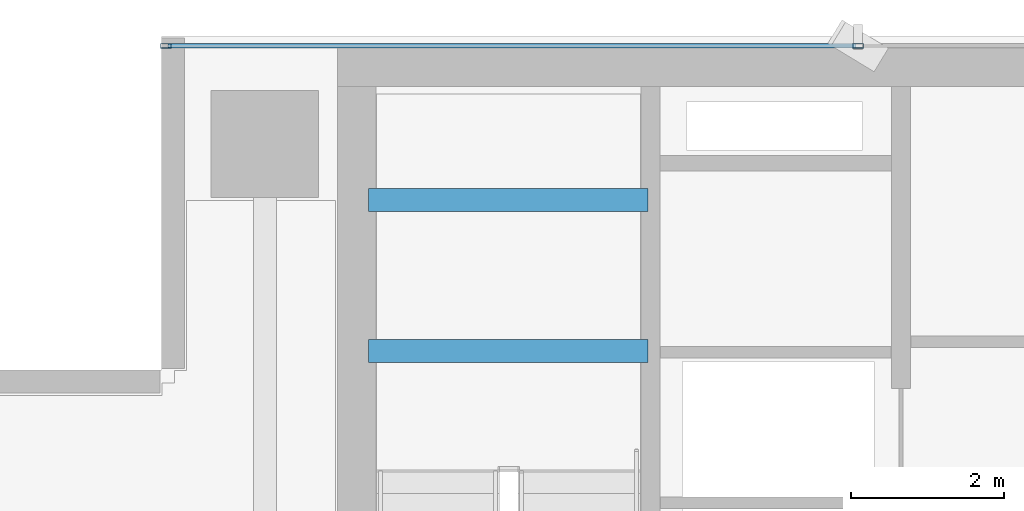
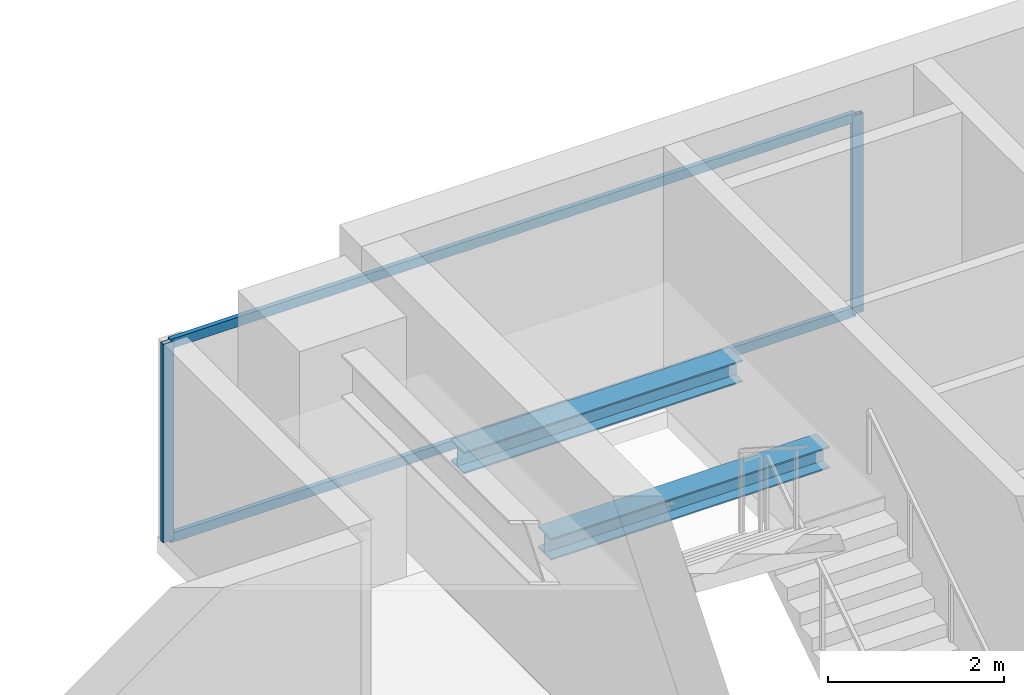
# One storey, part 15 of 26: 4 members, 2 beams, 1 element without a shape of its own.
"""IFC4 building model written with IfcOpenShell, lengths in metres."""

from ifc_helpers import new_model, si_unit, direction, frame, origin, origin_2d, place, context, subcontext, project, spatial, hollow_rectangle, i_section, extrude, source, transform, mapped, material, layer, layer_set, material_profile, profile_set, type_object, element, aggregate, save


model = new_model("IFC4")

# Units and contexts
model_context = context("Model", 3, precision=1e-05, world=origin(), true_north=direction((0.0, 1.0)))
body_context = subcontext(model_context, "Body", "Model", "MODEL_VIEW")
ifc_project = project(units=[si_unit("LENGTHUNIT", "METRE"), si_unit("AREAUNIT", "SQUARE_METRE"), si_unit("VOLUMEUNIT", "CUBIC_METRE"), si_unit("PLANEANGLEUNIT", "RADIAN"), si_unit("MASSUNIT", "GRAM", prefix="KILO")], contexts=[model_context])

# Site, building, storey
site_placement = place(None, origin())
site = spatial("IfcSite", under=ifc_project, at=site_placement, CompositionType="ELEMENT")
building_placement = place(site_placement, origin())
building = spatial("IfcBuilding", under=site, at=building_placement, Name="Sumidabori Civic Tower", CompositionType="ELEMENT")
storey_placement = place(building_placement, frame((0.0, 0.0, 243.199951171875)))
storey = spatial("IfcBuildingStorey", under=building, at=storey_placement, Name="L63", CompositionType="ELEMENT", Elevation=243.199951171875)

# Beams
ifc_material_1 = material(Name="Steel SN490", Category="steel")
ifc_material_profile_1 = material_profile(ifc_material_1, i_section(OverallWidth=0.300048828125, OverallDepth=0.300048828125, WebThickness=0.010986328125, FlangeThickness=0.01904296875, at=origin_2d()), Name="HE 300 B")
ifc_profile_set_1 = profile_set([ifc_material_profile_1], Name="Steel SN490")
beam_type = type_object("IfcBeamType", Name="BM-LDG-300", PredefinedType="BEAM", material=ifc_profile_set_1)
shared_shape_1 = source(origin(), body_context, "Body", "SweptSolid", [
    extrude(i_section(OverallWidth=0.300048828125, OverallDepth=0.300048828125, WebThickness=0.010986328125, FlangeThickness=0.01904296875, at=origin_2d()), origin(), (0.0, 0.0, 1.0), 3.64990234375),
])
for number, where, z_axis, x_axis, name in (
    (1, (-15.449951171875, 20.09765625, 1.449951171875), (1.0, 0.0, 0.0), (0.0, 1.0, 0.0), "Stair ST-1 Landing Support Beam L63-1A"),
    (2, (-15.449951171875, 22.069580078125, 1.449951171875), (1.0, 0.0, 0.0), (0.0, 1.0, 0.0), "Stair ST-1 Landing Trimmer Beam L63-1B"),
):
    element("IfcBeam", number, at=place(storey_placement, frame(where, z_axis=z_axis, x_axis=x_axis)), inside=storey, type_object=beam_type, Name=name, PredefinedType="BEAM", context=body_context, shape_type="MappedRepresentation", body=[
        mapped(shared_shape_1, transform((0.0, 0.0, 0.0), x_axis=(1.0, 0.0, 0.0), y_axis=(0.0, 1.0, 0.0), z_axis=(0.0, 0.0, 1.0), scale=1.0)),
    ])

# Curtain wall, members
ifc_material_2 = material(Name="Anodised Bronze Aluminium AW-6063-T6", Category="aluminium")
ifc_layer = layer(ifc_material_2, 0.179931640625, Name="Anodised Bronze Aluminium AW-6063-T6")
ifc_layer_set = layer_set([ifc_layer], Name="Anodised Bronze Aluminium AW-6063-T6")
curtain_wall_type = type_object("IfcCurtainWallType", Name="CW-SYS-5", PredefinedType="NOTDEFINED", material=ifc_layer_set)
curtain_wall_placement = place(storey_placement, origin())
curtain_wall = element("IfcCurtainWall", 3, at=curtain_wall_placement, inside=storey, type_object=curtain_wall_type, Name="Curtain Wall CW:L63:R07", PredefinedType="NOTDEFINED")
ifc_material_profile_2 = material_profile(ifc_material_2, hollow_rectangle(XDim=0.06005859375, YDim=0.139892578125, WallThickness=0.0048828125, at=origin_2d()), Name="ALU MULLION 140x60")
ifc_profile_set_2 = profile_set([ifc_material_profile_2], Name="Anodised Bronze Aluminium AW-6063-T6")
member_type_1 = type_object("IfcMemberType", Name="CW-MUL-140", PredefinedType="MULLION", material=ifc_profile_set_2)
shared_shape_2 = source(origin(), body_context, "Body", "SweptSolid", [
    extrude(hollow_rectangle(XDim=0.06005859375, YDim=0.139892578125, WallThickness=0.0048828125, at=origin_2d()), origin(), (0.0, 0.0, 1.0), 2.75),
])
member_1_placement = place(storey_placement, frame((-9.06005859375, 24.080078125, 0.0), z_axis=(0.0, 0.0, 1.0), x_axis=(0.0, -1.0, 0.0)))
member_1 = element("IfcMember", 4, at=member_1_placement, type_object=member_type_1, Name="CW-5 mullion 4", PredefinedType="MULLION", context=body_context, shape_type="MappedRepresentation", body=[
    mapped(shared_shape_2, transform((0.0, 0.0, 0.0), x_axis=(1.0, 0.0, 0.0), y_axis=(0.0, 1.0, 0.0), z_axis=(0.0, 0.0, 1.0), scale=1.0)),
])
member_2_placement = place(storey_placement, frame((-18.090087890625, 24.080078125, 0.0), z_axis=(0.0, 0.0, 1.0), x_axis=(0.0, -1.0, 0.0)))
member_2 = element("IfcMember", 5, at=member_2_placement, type_object=member_type_1, Name="CW-5 mullion 5", PredefinedType="MULLION", context=body_context, shape_type="MappedRepresentation", body=[
    mapped(shared_shape_2, transform((0.0, 0.0, 0.0), x_axis=(1.0, 0.0, 0.0), y_axis=(0.0, 1.0, 0.0), z_axis=(0.0, 0.0, 1.0), scale=1.0)),
])
ifc_material_profile_3 = material_profile(ifc_material_2, hollow_rectangle(XDim=0.06005859375, YDim=0.1298828125, WallThickness=0.0048828125, at=origin_2d()), Name="ALU TRANSOM 130x60")
ifc_profile_set_3 = profile_set([ifc_material_profile_3], Name="Anodised Bronze Aluminium AW-6063-T6")
member_type_2 = type_object("IfcMemberType", Name="CW-TRN-130", PredefinedType="USERDEFINED", material=ifc_profile_set_3)
shared_shape_3 = source(origin(), body_context, "Body", "SweptSolid", [
    extrude(hollow_rectangle(XDim=0.06005859375, YDim=0.1298828125, WallThickness=0.0048828125, at=origin_2d()), origin(), (0.0, 0.0, 1.0), 8.969970703125),
])
member_3_placement = place(storey_placement, frame((-9.090087890625, 24.080078125, 0.030029296875), z_axis=(-1.0, 0.0, 0.0), x_axis=(0.0, -1.0, 0.0)))
member_3 = element("IfcMember", 6, at=member_3_placement, type_object=member_type_2, Name="CW-5 transom 4.1", ObjectType="TRANSOM", PredefinedType="USERDEFINED", context=body_context, shape_type="MappedRepresentation", body=[
    mapped(shared_shape_3, transform((0.0, 0.0, 0.0), x_axis=(1.0, 0.0, 0.0), y_axis=(0.0, 1.0, 0.0), z_axis=(0.0, 0.0, 1.0), scale=1.0)),
])
member_4_placement = place(storey_placement, frame((-9.090087890625, 24.080078125, 2.719970703125), z_axis=(-1.0, 0.0, 0.0), x_axis=(0.0, -1.0, 0.0)))
member_4 = element("IfcMember", 7, at=member_4_placement, type_object=member_type_2, Name="CW-5 transom 4.2", ObjectType="TRANSOM", PredefinedType="USERDEFINED", context=body_context, shape_type="MappedRepresentation", body=[
    mapped(shared_shape_3, transform((0.0, 0.0, 0.0), x_axis=(1.0, 0.0, 0.0), y_axis=(0.0, 1.0, 0.0), z_axis=(0.0, 0.0, 1.0), scale=1.0)),
])
aggregate(curtain_wall, [member_1, member_2, member_3, member_4])

save(model, "model.ifc")
